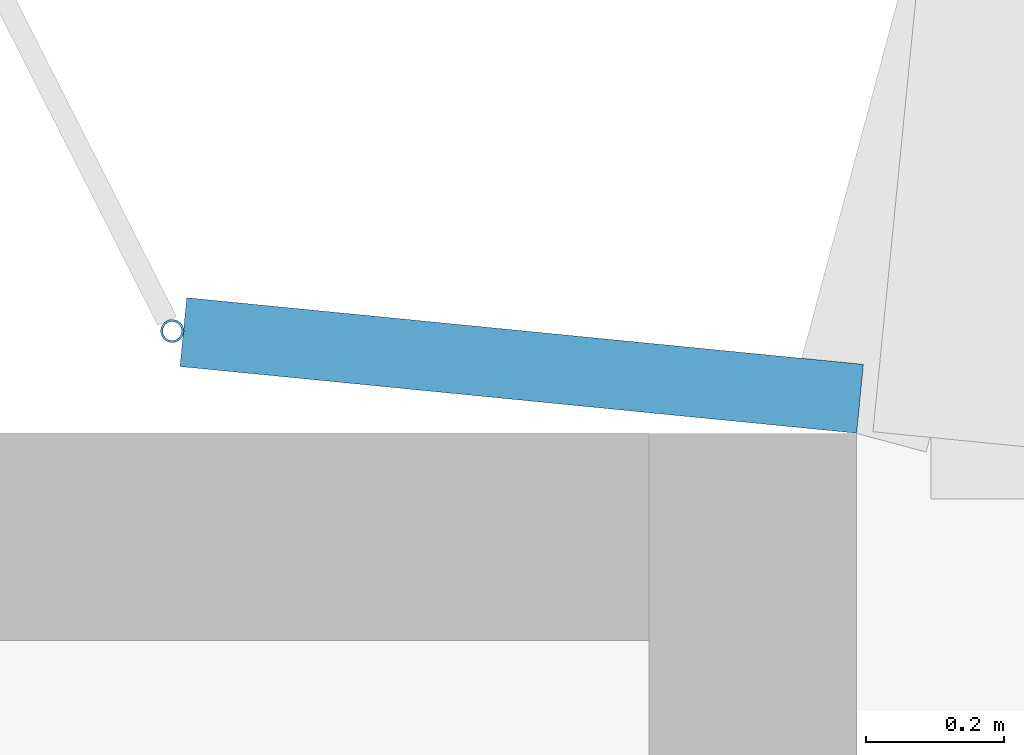
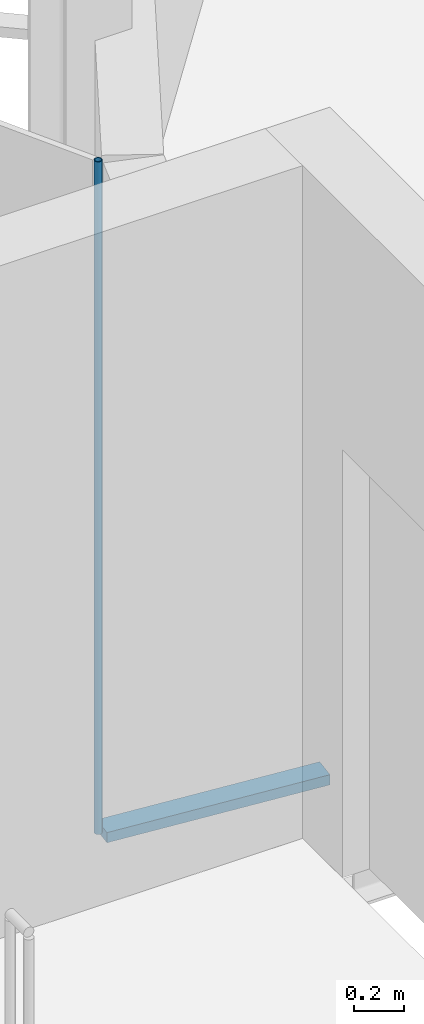
# One storey, part 68 of 198: 2 discrete accessories.
"""IFC4 building model written with IfcOpenShell, lengths in metres."""

import ifcopenshell
import ifcopenshell.guid

model = None  # the IFC model being written
_history = None  # IfcOwnerHistory: only IFC2X3 demands one
_inside = {}  # id of a spatial element -> (the spatial element, [elements in it])
_under = {}  # id of a project, library or spatial element -> (it, [spatial elements below it])
_declared = {}  # id of a project -> (the project, [libraries it declares])
_typed = {}  # id of a type object -> (the type object, [elements of that type])
_made_of = {}  # id of a material, layer set ... -> (it, [elements and type objects made of it])


def new_model(schema):
    """Start an empty IFC model of exactly this schema.

    Asked for "IFC4X3", IfcOpenShell would pick the latest addendum, in which some entities
    have other attributes; the version numbers below select the first issue.
    IFC2X3 requires an IfcOwnerHistory on every rooted entity: one is made here for all.
    """
    global model, _history
    if schema == "IFC4X3":
        model = ifcopenshell.file(schema_version=(4, 3, 0, 0))
    else:
        model = ifcopenshell.file(schema=schema)
    _inside.clear()
    _under.clear()
    _declared.clear()
    _typed.clear()
    _made_of.clear()
    _history = None
    if model.schema == "IFC2X3":
        org = make("IfcOrganization", Name="unknown")
        user = make(
            "IfcPersonAndOrganization",
            ThePerson=make("IfcPerson", FamilyName="unknown"),
            TheOrganization=org,
        )
        app = make(
            "IfcApplication",
            ApplicationDeveloper=org,
            Version="unknown",
            ApplicationFullName="unknown",
            ApplicationIdentifier="unknown",
        )
        _history = make(
            "IfcOwnerHistory",
            OwningUser=user,
            OwningApplication=app,
            ChangeAction="ADDED",
            CreationDate=0,
        )
    return model


def make(cls, **values):
    """One entity of the class cls with the attributes given. An attribute that is None is left unset."""
    return model.create_entity(
        cls, **{name: value for name, value in values.items() if value is not None}
    )


def rooted(cls, **values):
    """An entity with a GlobalId (a new one), such as an element, a storey or a relation."""
    return make(cls, GlobalId=ifcopenshell.guid.new(), OwnerHistory=_history, **values)


def si_unit(unit_type, name, prefix=None):
    """IfcSIUnit, for example si_unit("LENGTHUNIT", "METRE", prefix="MILLI")."""
    return make("IfcSIUnit", UnitType=unit_type, Prefix=prefix, Name=name)


def assignment(units):
    """IfcUnitAssignment: the units of a project."""
    return None if units is None else make("IfcUnitAssignment", Units=units)


def point(xyz):
    """IfcCartesianPoint."""
    return None if xyz is None else make("IfcCartesianPoint", Coordinates=xyz)


def direction(xyz):
    """IfcDirection."""
    return None if xyz is None else make("IfcDirection", DirectionRatios=xyz)


def frame(location, z_axis=None, x_axis=None):
    """IfcAxis2Placement3D, a coordinate frame: its origin and axes. An axis left out is left unset."""
    return make(
        "IfcAxis2Placement3D",
        Location=point(location),
        Axis=direction(z_axis),
        RefDirection=direction(x_axis),
    )


def frame_2d(location, x_axis=None):
    """IfcAxis2Placement2D, a coordinate frame in the plane: its origin and x axis."""
    return make(
        "IfcAxis2Placement2D", Location=point(location), RefDirection=direction(x_axis)
    )


def origin():
    """The frame at (0, 0, 0) with its axes left unset."""
    return frame((0.0, 0.0, 0.0))


def origin_2d():
    """The frame at (0, 0) in the plane with its x axis left unset."""
    return frame_2d((0.0, 0.0))


def place(relative_to, where):
    """IfcLocalPlacement: puts the frame where relative to a parent placement (None: the world)."""
    return make(
        "IfcLocalPlacement", PlacementRelTo=relative_to, RelativePlacement=where
    )


def context(
    kind, dimensions, precision=None, world=None, true_north=None, identifier=None
):
    """IfcGeometricRepresentationContext, for example the 3D "Model" context."""
    return make(
        "IfcGeometricRepresentationContext",
        ContextIdentifier=identifier,
        ContextType=kind,
        CoordinateSpaceDimension=dimensions,
        Precision=precision,
        WorldCoordinateSystem=world,
        TrueNorth=true_north,
    )


def subcontext(parent, identifier, kind, view, scale=None):
    """IfcGeometricRepresentationSubContext, for example "Body" below "Model"."""
    return make(
        "IfcGeometricRepresentationSubContext",
        ContextIdentifier=identifier,
        ContextType=kind,
        ParentContext=parent,
        TargetScale=scale,
        TargetView=view,
    )


def project(units=None, contexts=None):
    """IfcProject with its units and contexts."""
    return rooted(
        "IfcProject",
        Name="project",
        RepresentationContexts=contexts,
        UnitsInContext=assignment(units),
    )


def spatial(cls, under=None, at=None, **own):
    """A site, building, storey or space (cls), placed at a placement, below another one or the project."""
    s = rooted(cls, ObjectPlacement=at, **own)
    if under is not None:
        _under.setdefault(under.id(), (under, []))[1].append(s)
    return s


def profile(cls, at=None, kind="AREA", **sizes):
    """A parametric profile (cls). Its sizes go by their IFC names, for example OverallWidth=200.0."""
    return make(cls, ProfileType=kind, Position=at, **sizes)


def rectangle(**sizes):
    """IfcRectangleProfileDef."""
    return profile("IfcRectangleProfileDef", **sizes)


def hollow_circle(**sizes):
    """IfcCircleHollowProfileDef."""
    return profile("IfcCircleHollowProfileDef", **sizes)


def extrude(swept, where, along, depth):
    """IfcExtrudedAreaSolid: the profile swept, set in the frame where, extruded along a direction by depth."""
    return make(
        "IfcExtrudedAreaSolid",
        SweptArea=swept,
        Position=where,
        ExtrudedDirection=direction(along),
        Depth=depth,
    )


def shape(context_of_items, identifier, shape_type, items):
    """IfcShapeRepresentation: the items that make up one representation, for example the "Body"."""
    return make(
        "IfcShapeRepresentation",
        ContextOfItems=context_of_items,
        RepresentationIdentifier=identifier,
        RepresentationType=shape_type,
        Items=items,
    )


def material(Name=None, Category=None):
    """IfcMaterial."""
    return make("IfcMaterial", Name=Name, Category=Category)


def material_profile(
    of_material, cross_section, Name=None, Category=None, Priority=None
):
    """IfcMaterialProfile: a cross section and its material."""
    return make(
        "IfcMaterialProfile",
        Name=Name,
        Material=of_material,
        Profile=cross_section,
        Priority=Priority,
        Category=Category,
    )


def profile_set(profiles, Name=None, composite=None):
    """IfcMaterialProfileSet."""
    return make(
        "IfcMaterialProfileSet",
        Name=Name,
        MaterialProfiles=profiles,
        CompositeProfile=composite,
    )


def made_of(thing, what):
    """Note that an element or type object is made of a material, layer set ...; save() writes the relation."""
    if what is not None:
        _made_of.setdefault(what.id(), (what, []))[1].append(thing)
    return thing


def type_object(cls, material=None, **own):
    """A type object (cls), such as IfcWallType, which elements share."""
    return made_of(rooted(cls, **own), material)


def element(
    cls,
    number,
    at=None,
    inside=None,
    cuts=None,
    type_object=None,
    material=None,
    context=None,
    identifier="Body",
    shape_type=None,
    held_by="IfcProductDefinitionShape",
    body=None,
    shapes=None,
    **own,
):
    """One element of the class cls, such as IfcWall. Its Tag is "e" and its number.

    at: its placement. inside: the storey or other place that contains it. cuts: it is an
    opening in that element (IfcRelVoidsElement). A single representation is given by context,
    identifier, shape_type and body (its items); several are given by shapes. held_by: the class
    of the entity that holds the representations. save() writes the other relations.
    """
    e = rooted(cls, Tag="e%d" % number, ObjectPlacement=at, **own)
    if body is not None:
        shapes = [shape(context, identifier, shape_type, body)]
    if shapes is not None:
        e.Representation = make(held_by, Representations=shapes)
    if inside is not None:
        _inside.setdefault(inside.id(), (inside, []))[1].append(e)
    if cuts is not None:
        rooted(
            "IfcRelVoidsElement", RelatingBuildingElement=cuts, RelatedOpeningElement=e
        )
    if type_object is not None:
        _typed.setdefault(type_object.id(), (type_object, []))[1].append(e)
    return made_of(e, material)


def aggregate(whole, parts):
    """IfcRelAggregates: a whole, such as a stair, and the parts it consists of."""
    return rooted("IfcRelAggregates", RelatingObject=whole, RelatedObjects=parts)


def save(model, path):
    """Write the relations noted so far, then the file.

    IfcRelAggregates (storeys below a building ...), IfcRelContainedInSpatialStructure (elements
    in a storey), IfcRelDefinesByType, IfcRelAssociatesMaterial and IfcRelDeclares: one each for
    every whole, place, type object, material and project.
    """
    for whole, parts in _under.values():
        aggregate(whole, parts)
    for where, things in _inside.values():
        rooted(
            "IfcRelContainedInSpatialStructure",
            RelatedElements=things,
            RelatingStructure=where,
        )
    for kind, things in _typed.values():
        rooted("IfcRelDefinesByType", RelatedObjects=things, RelatingType=kind)
    for what, things in _made_of.values():
        rooted("IfcRelAssociatesMaterial", RelatedObjects=things, RelatingMaterial=what)
    for by, libraries in _declared.values():
        rooted("IfcRelDeclares", RelatingContext=by, RelatedDefinitions=libraries)
    model.write(path)


model = new_model("IFC4")

# Units and contexts
model_context = context("Model", 3, precision=1e-05, world=origin(), true_north=direction((0.0, 1.0)))
body_context = subcontext(model_context, "Body", "Model", "MODEL_VIEW")
ifc_project = project(units=[si_unit("LENGTHUNIT", "METRE"), si_unit("AREAUNIT", "SQUARE_METRE"), si_unit("VOLUMEUNIT", "CUBIC_METRE"), si_unit("PLANEANGLEUNIT", "RADIAN"), si_unit("MASSUNIT", "GRAM", prefix="KILO")], contexts=[model_context])

# Site, building, storey
site_placement = place(None, origin())
site = spatial("IfcSite", under=ifc_project, at=site_placement, CompositionType="ELEMENT")
building_placement = place(site_placement, origin())
building = spatial("IfcBuilding", under=site, at=building_placement, Name="Parallax Yard Mobility Hub", CompositionType="ELEMENT")
storey_placement = place(building_placement, frame((0.0, 0.0, 6.60009765625)))
storey = spatial("IfcBuildingStorey", under=building, at=storey_placement, Name="L02", CompositionType="ELEMENT", Elevation=6.60009765625)

# Discrete accessories
ifc_material_1 = material(Name="Steel ASTM A36, hot-dip galvanised", Category="steel")
discrete_accessory_type_1 = type_object("IfcDiscreteAccessoryType", Name="Hinge bracket plate 100x50", PredefinedType="BRACKET", material=ifc_material_1)
discrete_accessory_1_placement = place(storey_placement, frame((22.015625, 135.09814453125, -0.02490234375), z_axis=(0.0, 0.0, 1.0), x_axis=(-0.995184726672, 0.09801714033, 0.0)))
element("IfcDiscreteAccessory", 1, at=discrete_accessory_1_placement, inside=storey, type_object=discrete_accessory_type_1, Name="Hinge bracket plate bay 70.12 level L02", PredefinedType="BRACKET", context=body_context, shape_type="SweptSolid", body=[
    extrude(rectangle(XDim=0.984130859375, YDim=0.10009765625, at=origin_2d()), origin(), (0.0, 0.0, 1.0), 0.050048828125),
])
ifc_material_2 = material(Name="Steel ASTM A500 Gr C, hot-dip galvanised", Category="steel")
ifc_material_profile = material_profile(ifc_material_2, hollow_circle(Radius=0.016845703125, WallThickness=0.003173828125, at=origin_2d()), Name="CHS 33.7x3.2")
ifc_profile_set = profile_set([ifc_material_profile], Name="Steel ASTM A500 Gr C, hot-dip galvanised")
discrete_accessory_type_2 = type_object("IfcDiscreteAccessoryType", Name="Hinge post CHS 33.7x3.2", PredefinedType="BRACKET", material=ifc_profile_set)
discrete_accessory_2_placement = place(storey_placement, frame((21.509765625, 135.14794921875, 0.0), z_axis=(0.0, 0.0, 1.0), x_axis=(1.0, 0.0, 0.0)))
element("IfcDiscreteAccessory", 2, at=discrete_accessory_2_placement, inside=storey, type_object=discrete_accessory_type_2, Name="Hinge post bay 70.12 level L02", PredefinedType="BRACKET", context=body_context, shape_type="SweptSolid", body=[
    extrude(hollow_circle(Radius=0.016845703125, WallThickness=0.003173828125, at=origin_2d()), origin(), (0.0, 0.0, 1.0), 3.2998046875),
])

save(model, "model.ifc")
